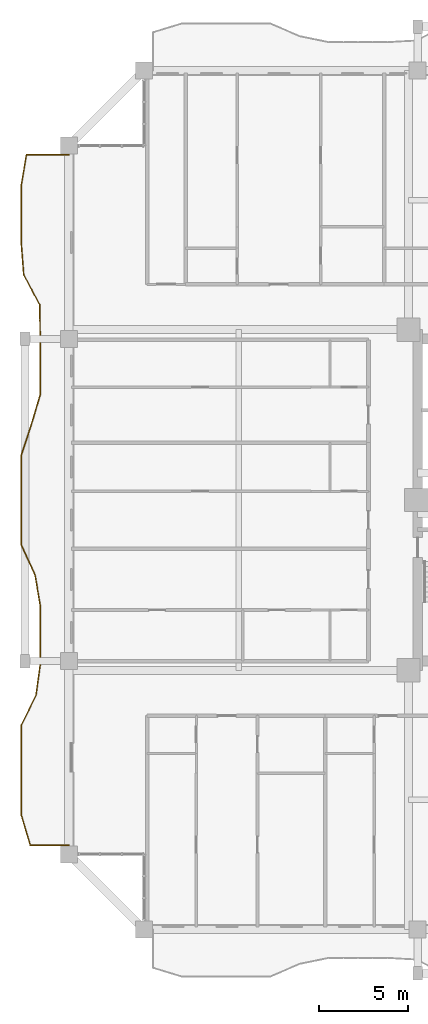
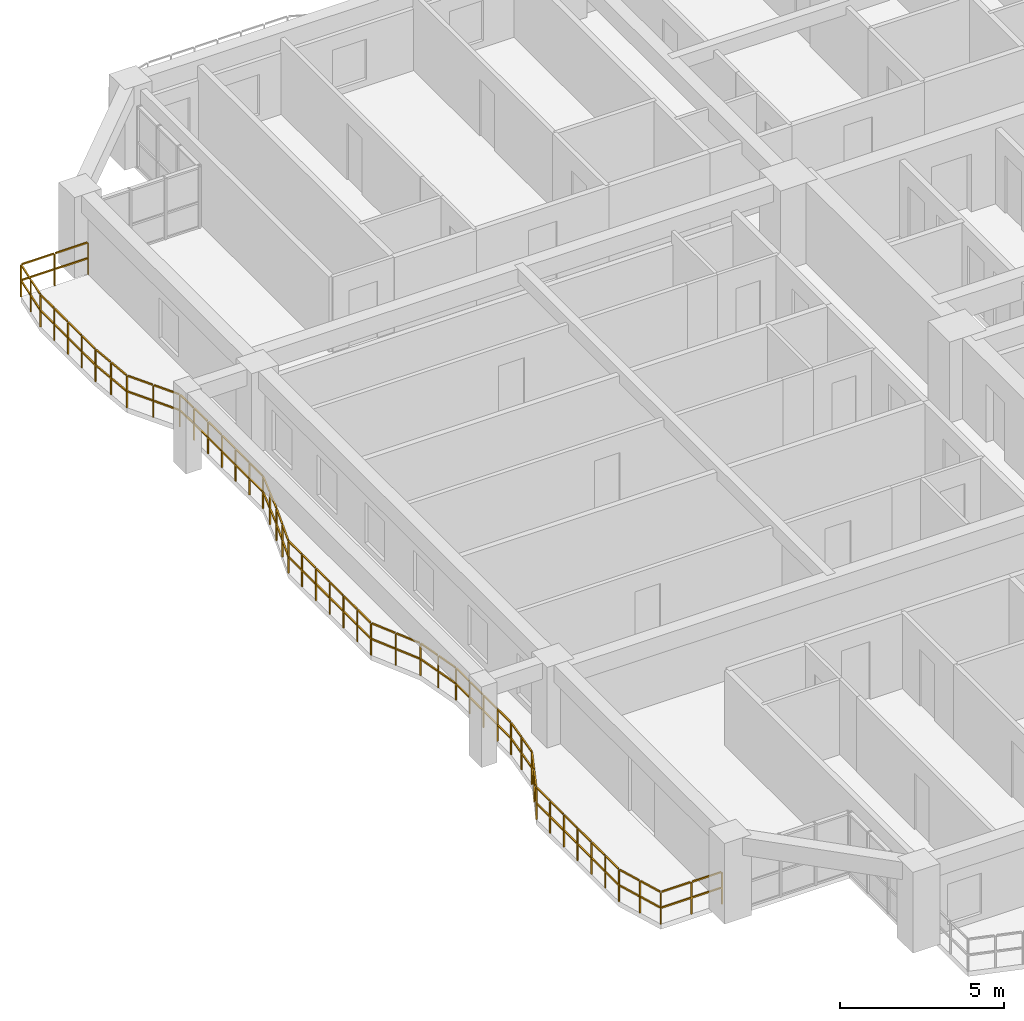
# One storey, part 23 of 26: 1 railing.
"""IFC4 building model written with IfcOpenShell, lengths in metres."""

from ifc_helpers import new_model, si_unit, direction, frame, origin, origin_2d, place, context, subcontext, project, spatial, rectangle, extrude, material, type_object, element, save


model = new_model("IFC4")

# Units and contexts
model_context = context("Model", 3, precision=1e-05, world=origin(), true_north=direction((0.0, 1.0)))
body_context = subcontext(model_context, "Body", "Model", "MODEL_VIEW")
ifc_project = project(units=[si_unit("LENGTHUNIT", "METRE"), si_unit("AREAUNIT", "SQUARE_METRE"), si_unit("VOLUMEUNIT", "CUBIC_METRE"), si_unit("PLANEANGLEUNIT", "RADIAN"), si_unit("MASSUNIT", "GRAM", prefix="KILO")], contexts=[model_context])

# Site, building, storey
site_placement = place(None, origin())
site = spatial("IfcSite", under=ifc_project, at=site_placement, CompositionType="ELEMENT")
building_placement = place(site_placement, origin())
building = spatial("IfcBuilding", under=site, at=building_placement, Name="Saelheon Loggia Tower", CompositionType="ELEMENT")
storey_placement = place(building_placement, frame((0.0, 0.0, 89.85009765625)))
storey = spatial("IfcBuildingStorey", under=building, at=storey_placement, Name="L28", CompositionType="ELEMENT", Elevation=89.85009765625)

# Railing
ifc_material = material(Name="Architectural Precast Concrete and Laminated Glass Guard", Category="concrete")
railing_type = type_object("IfcRailingType", Name="Guard_Loggia_RL_LOG", PredefinedType="BALUSTRADE", material=ifc_material)
railing_placement = place(storey_placement, frame((12.0, 46.300048828125, 0.0)))
element("IfcRailing", 1, at=railing_placement, inside=storey, type_object=railing_type, Name="L28 West Loggia Balustrade", PredefinedType="BALUSTRADE", context=body_context, shape_type="SweptSolid", body=[
    extrude(rectangle(XDim=0.048095703125, YDim=0.048095703125, at=origin_2d()), frame((-0.033203125, 0.0, 1.19580078125), z_axis=(-1.0, 0.0, 0.0), x_axis=(0.0, -1.0, 0.0)), (0.0, 0.0, 1.0), 1.116943359375),
    extrude(rectangle(XDim=0.048095703125, YDim=0.048095703125, at=origin_2d()), frame((-0.033203125, 0.0, 0.60986328125), z_axis=(-1.0, 0.0, 0.0), x_axis=(0.0, -1.0, 0.0)), (0.0, 0.0, 1.0), 1.116943359375),
    extrude(rectangle(XDim=0.048095703125, YDim=0.048095703125, at=origin_2d()), frame((-1.216552734375, 0.0, 1.19580078125), z_axis=(-1.0, 0.0, 0.0), x_axis=(0.0, -1.0, 0.0)), (0.0, 0.0, 1.0), 1.116943359375),
    extrude(rectangle(XDim=0.048095703125, YDim=0.048095703125, at=origin_2d()), frame((-1.216552734375, 0.0, 0.60986328125), z_axis=(-1.0, 0.0, 0.0), x_axis=(0.0, -1.0, 0.0)), (0.0, 0.0, 1.0), 1.116943359375),
    extrude(rectangle(XDim=0.048095703125, YDim=0.048095703125, at=origin_2d()), frame((-2.372314453125, -0.03271484375, 1.19580078125), z_axis=(-0.166375627522, -0.9860624476, 0.0), x_axis=(0.9860624476, -0.166375627522, 0.0)), (0.0, 0.0, 1.0), 0.78466796875),
    extrude(rectangle(XDim=0.048095703125, YDim=0.048095703125, at=origin_2d()), frame((-2.372314453125, -0.03271484375, 0.60986328125), z_axis=(-0.166375627522, -0.9860624476, 0.0), x_axis=(0.9860624476, -0.166375627522, 0.0)), (0.0, 0.0, 1.0), 0.78466796875),
    extrude(rectangle(XDim=0.048095703125, YDim=0.048095703125, at=origin_2d()), frame((-2.513916015625, -0.8720703125, 1.19580078125), z_axis=(-0.166375627522, -0.9860624476, 0.0), x_axis=(0.9860624476, -0.166375627522, 0.0)), (0.0, 0.0, 1.0), 0.78466796875),
    extrude(rectangle(XDim=0.048095703125, YDim=0.048095703125, at=origin_2d()), frame((-2.513916015625, -0.8720703125, 0.60986328125), z_axis=(-0.166375627522, -0.9860624476, 0.0), x_axis=(0.9860624476, -0.166375627522, 0.0)), (0.0, 0.0, 1.0), 0.78466796875),
    extrude(rectangle(XDim=0.048095703125, YDim=0.048095703125, at=origin_2d()), frame((-2.64990234375, -1.711669921875, 1.19580078125), z_axis=(0.0, -1.0, 0.0), x_axis=(1.0, 0.0, 0.0)), (0.0, 0.0, 1.0), 0.7724609375),
    extrude(rectangle(XDim=0.048095703125, YDim=0.048095703125, at=origin_2d()), frame((-2.64990234375, -1.711669921875, 0.60986328125), z_axis=(0.0, -1.0, 0.0), x_axis=(1.0, 0.0, 0.0)), (0.0, 0.0, 1.0), 0.7724609375),
    extrude(rectangle(XDim=0.048095703125, YDim=0.048095703125, at=origin_2d()), frame((-2.64990234375, -2.55078125, 1.19580078125), z_axis=(0.0, -1.0, 0.0), x_axis=(1.0, 0.0, 0.0)), (0.0, 0.0, 1.0), 0.7724609375),
    extrude(rectangle(XDim=0.048095703125, YDim=0.048095703125, at=origin_2d()), frame((-2.64990234375, -2.55078125, 0.60986328125), z_axis=(0.0, -1.0, 0.0), x_axis=(1.0, 0.0, 0.0)), (0.0, 0.0, 1.0), 0.7724609375),
    extrude(rectangle(XDim=0.048095703125, YDim=0.048095703125, at=origin_2d()), frame((-2.64990234375, -3.3896484375, 1.19580078125), z_axis=(0.0, -1.0, 0.0), x_axis=(1.0, 0.0, 0.0)), (0.0, 0.0, 1.0), 0.772705078125),
    extrude(rectangle(XDim=0.048095703125, YDim=0.048095703125, at=origin_2d()), frame((-2.64990234375, -3.3896484375, 0.60986328125), z_axis=(0.0, -1.0, 0.0), x_axis=(1.0, 0.0, 0.0)), (0.0, 0.0, 1.0), 0.772705078125),
    extrude(rectangle(XDim=0.048095703125, YDim=0.048095703125, at=origin_2d()), frame((-2.64990234375, -4.22900390625, 1.19580078125), z_axis=(0.0, -1.0, 0.0), x_axis=(1.0, 0.0, 0.0)), (0.0, 0.0, 1.0), 0.772705078125),
    extrude(rectangle(XDim=0.048095703125, YDim=0.048095703125, at=origin_2d()), frame((-2.64990234375, -4.22900390625, 0.60986328125), z_axis=(0.0, -1.0, 0.0), x_axis=(1.0, 0.0, 0.0)), (0.0, 0.0, 1.0), 0.772705078125),
    extrude(rectangle(XDim=0.048095703125, YDim=0.048095703125, at=origin_2d()), frame((-2.647216796875, -5.068115234375, 1.19580078125), z_axis=(0.07788316248, -0.996962493277, 0.0), x_axis=(0.996962493277, 0.07788316248, 0.0)), (0.0, 0.0, 1.0), 0.775146484375),
    extrude(rectangle(XDim=0.048095703125, YDim=0.048095703125, at=origin_2d()), frame((-2.647216796875, -5.068115234375, 0.60986328125), z_axis=(0.07788316248, -0.996962493277, 0.0), x_axis=(0.996962493277, 0.07788316248, 0.0)), (0.0, 0.0, 1.0), 0.775146484375),
    extrude(rectangle(XDim=0.048095703125, YDim=0.048095703125, at=origin_2d()), frame((-2.581787109375, -5.9072265625, 1.19580078125), z_axis=(0.07788316248, -0.996962493277, 0.0), x_axis=(0.996962493277, 0.07788316248, 0.0)), (0.0, 0.0, 1.0), 0.775146484375),
    extrude(rectangle(XDim=0.048095703125, YDim=0.048095703125, at=origin_2d()), frame((-2.581787109375, -5.9072265625, 0.60986328125), z_axis=(0.07788316248, -0.996962493277, 0.0), x_axis=(0.996962493277, 0.07788316248, 0.0)), (0.0, 0.0, 1.0), 0.775146484375),
    extrude(rectangle(XDim=0.048095703125, YDim=0.048095703125, at=origin_2d()), frame((-2.503173828125, -6.742431640625, 1.19580078125), z_axis=(0.469974960168, -0.882679747595, 0.0), x_axis=(0.882679747595, 0.469974960168, 0.0)), (0.0, 0.0, 1.0), 0.88427734375),
    extrude(rectangle(XDim=0.048095703125, YDim=0.048095703125, at=origin_2d()), frame((-2.503173828125, -6.742431640625, 0.60986328125), z_axis=(0.469974960168, -0.882679747595, 0.0), x_axis=(0.882679747595, 0.469974960168, 0.0)), (0.0, 0.0, 1.0), 0.88427734375),
    extrude(rectangle(XDim=0.048095703125, YDim=0.048095703125, at=origin_2d()), frame((-2.056396484375, -7.58154296875, 1.19580078125), z_axis=(0.469974960168, -0.882679747595, 0.0), x_axis=(0.882679747595, 0.469974960168, 0.0)), (0.0, 0.0, 1.0), 0.88427734375),
    extrude(rectangle(XDim=0.048095703125, YDim=0.048095703125, at=origin_2d()), frame((-2.056396484375, -7.58154296875, 0.60986328125), z_axis=(0.469974960168, -0.882679747595, 0.0), x_axis=(0.882679747595, 0.469974960168, 0.0)), (0.0, 0.0, 1.0), 0.88427734375),
    extrude(rectangle(XDim=0.048095703125, YDim=0.048095703125, at=origin_2d()), frame((-1.624755859375, -8.424560546875, 1.19580078125), z_axis=(0.014982315851, -0.999887758807, 0.0), x_axis=(0.999887758807, 0.014982315851, 0.0)), (0.0, 0.0, 1.0), 0.772705078125),
    extrude(rectangle(XDim=0.048095703125, YDim=0.048095703125, at=origin_2d()), frame((-1.624755859375, -8.424560546875, 0.60986328125), z_axis=(0.014982315851, -0.999887758807, 0.0), x_axis=(0.999887758807, 0.014982315851, 0.0)), (0.0, 0.0, 1.0), 0.772705078125),
    extrude(rectangle(XDim=0.048095703125, YDim=0.048095703125, at=origin_2d()), frame((-1.612060546875, -9.263671875, 1.19580078125), z_axis=(0.014982315851, -0.999887758807, 0.0), x_axis=(0.999887758807, 0.014982315851, 0.0)), (0.0, 0.0, 1.0), 0.772705078125),
    extrude(rectangle(XDim=0.048095703125, YDim=0.048095703125, at=origin_2d()), frame((-1.612060546875, -9.263671875, 0.60986328125), z_axis=(0.014982315851, -0.999887758807, 0.0), x_axis=(0.999887758807, 0.014982315851, 0.0)), (0.0, 0.0, 1.0), 0.772705078125),
    extrude(rectangle(XDim=0.048095703125, YDim=0.048095703125, at=origin_2d()), frame((-1.60009765625, -10.102783203125, 1.19580078125), z_axis=(0.0, -1.0, 0.0), x_axis=(1.0, 0.0, 0.0)), (0.0, 0.0, 1.0), 0.772705078125),
    extrude(rectangle(XDim=0.048095703125, YDim=0.048095703125, at=origin_2d()), frame((-1.60009765625, -10.102783203125, 0.60986328125), z_axis=(0.0, -1.0, 0.0), x_axis=(1.0, 0.0, 0.0)), (0.0, 0.0, 1.0), 0.772705078125),
    extrude(rectangle(XDim=0.048095703125, YDim=0.048095703125, at=origin_2d()), frame((-1.60009765625, -10.94189453125, 1.19580078125), z_axis=(0.0, -1.0, 0.0), x_axis=(1.0, 0.0, 0.0)), (0.0, 0.0, 1.0), 0.772705078125),
    extrude(rectangle(XDim=0.048095703125, YDim=0.048095703125, at=origin_2d()), frame((-1.60009765625, -10.94189453125, 0.60986328125), z_axis=(0.0, -1.0, 0.0), x_axis=(1.0, 0.0, 0.0)), (0.0, 0.0, 1.0), 0.772705078125),
    extrude(rectangle(XDim=0.048095703125, YDim=0.048095703125, at=origin_2d()), frame((-1.60009765625, -11.781005859375, 1.19580078125), z_axis=(0.0, -1.0, 0.0), x_axis=(1.0, 0.0, 0.0)), (0.0, 0.0, 1.0), 0.772705078125),
    extrude(rectangle(XDim=0.048095703125, YDim=0.048095703125, at=origin_2d()), frame((-1.60009765625, -11.781005859375, 0.60986328125), z_axis=(0.0, -1.0, 0.0), x_axis=(1.0, 0.0, 0.0)), (0.0, 0.0, 1.0), 0.772705078125),
    extrude(rectangle(XDim=0.048095703125, YDim=0.048095703125, at=origin_2d()), frame((-1.60009765625, -12.620361328125, 1.19580078125), z_axis=(0.0, -1.0, 0.0), x_axis=(1.0, 0.0, 0.0)), (0.0, 0.0, 1.0), 0.772705078125),
    extrude(rectangle(XDim=0.048095703125, YDim=0.048095703125, at=origin_2d()), frame((-1.60009765625, -12.620361328125, 0.60986328125), z_axis=(0.0, -1.0, 0.0), x_axis=(1.0, 0.0, 0.0)), (0.0, 0.0, 1.0), 0.772705078125),
    extrude(rectangle(XDim=0.048095703125, YDim=0.048095703125, at=origin_2d()), frame((-1.609619140625, -13.458251953125, 1.19580078125), z_axis=(-0.284416013132, -0.958700960401, 0.0), x_axis=(0.958700960401, -0.284416013132, 0.0)), (0.0, 0.0, 1.0), 0.80859375),
    extrude(rectangle(XDim=0.048095703125, YDim=0.048095703125, at=origin_2d()), frame((-1.609619140625, -13.458251953125, 0.60986328125), z_axis=(-0.284416013132, -0.958700960401, 0.0), x_axis=(0.958700960401, -0.284416013132, 0.0)), (0.0, 0.0, 1.0), 0.80859375),
    extrude(rectangle(XDim=0.048095703125, YDim=0.048095703125, at=origin_2d()), frame((-1.8583984375, -14.297119140625, 1.19580078125), z_axis=(-0.284416013132, -0.958700960401, 0.0), x_axis=(0.958700960401, -0.284416013132, 0.0)), (0.0, 0.0, 1.0), 0.80859375),
    extrude(rectangle(XDim=0.048095703125, YDim=0.048095703125, at=origin_2d()), frame((-1.8583984375, -14.297119140625, 0.60986328125), z_axis=(-0.284416013132, -0.958700960401, 0.0), x_axis=(0.958700960401, -0.284416013132, 0.0)), (0.0, 0.0, 1.0), 0.80859375),
    extrude(rectangle(XDim=0.048095703125, YDim=0.048095703125, at=origin_2d()), frame((-2.1083984375, -15.1357421875, 1.19580078125), z_axis=(-0.312411606213, -0.949946834461, 0.0), x_axis=(0.949946834461, -0.312411606213, 0.0)), (0.0, 0.0, 1.0), 0.81689453125),
    extrude(rectangle(XDim=0.048095703125, YDim=0.048095703125, at=origin_2d()), frame((-2.1083984375, -15.1357421875, 0.60986328125), z_axis=(-0.312411606213, -0.949946834461, 0.0), x_axis=(0.949946834461, -0.312411606213, 0.0)), (0.0, 0.0, 1.0), 0.81689453125),
    extrude(rectangle(XDim=0.048095703125, YDim=0.048095703125, at=origin_2d()), frame((-2.38427734375, -15.97509765625, 1.19580078125), z_axis=(-0.312411606213, -0.949946834461, 0.0), x_axis=(0.949946834461, -0.312411606213, 0.0)), (0.0, 0.0, 1.0), 0.81689453125),
    extrude(rectangle(XDim=0.048095703125, YDim=0.048095703125, at=origin_2d()), frame((-2.38427734375, -15.97509765625, 0.60986328125), z_axis=(-0.312411606213, -0.949946834461, 0.0), x_axis=(0.949946834461, -0.312411606213, 0.0)), (0.0, 0.0, 1.0), 0.81689453125),
    extrude(rectangle(XDim=0.048095703125, YDim=0.048095703125, at=origin_2d()), frame((-2.64990234375, -16.81591796875, 1.19580078125), z_axis=(0.0, -1.0, 0.0), x_axis=(1.0, 0.0, 0.0)), (0.0, 0.0, 1.0), 0.772705078125),
    extrude(rectangle(XDim=0.048095703125, YDim=0.048095703125, at=origin_2d()), frame((-2.64990234375, -16.81591796875, 0.60986328125), z_axis=(0.0, -1.0, 0.0), x_axis=(1.0, 0.0, 0.0)), (0.0, 0.0, 1.0), 0.772705078125),
    extrude(rectangle(XDim=0.048095703125, YDim=0.048095703125, at=origin_2d()), frame((-2.64990234375, -17.655029296875, 1.19580078125), z_axis=(0.0, -1.0, 0.0), x_axis=(1.0, 0.0, 0.0)), (0.0, 0.0, 1.0), 0.772705078125),
    extrude(rectangle(XDim=0.048095703125, YDim=0.048095703125, at=origin_2d()), frame((-2.64990234375, -17.655029296875, 0.60986328125), z_axis=(0.0, -1.0, 0.0), x_axis=(1.0, 0.0, 0.0)), (0.0, 0.0, 1.0), 0.772705078125),
    extrude(rectangle(XDim=0.048095703125, YDim=0.048095703125, at=origin_2d()), frame((-2.64990234375, -18.494140625, 1.19580078125), z_axis=(0.0, -1.0, 0.0), x_axis=(1.0, 0.0, 0.0)), (0.0, 0.0, 1.0), 0.772705078125),
    extrude(rectangle(XDim=0.048095703125, YDim=0.048095703125, at=origin_2d()), frame((-2.64990234375, -18.494140625, 0.60986328125), z_axis=(0.0, -1.0, 0.0), x_axis=(1.0, 0.0, 0.0)), (0.0, 0.0, 1.0), 0.772705078125),
    extrude(rectangle(XDim=0.048095703125, YDim=0.048095703125, at=origin_2d()), frame((-2.64990234375, -19.333251953125, 1.19580078125), z_axis=(0.0, -1.0, 0.0), x_axis=(1.0, 0.0, 0.0)), (0.0, 0.0, 1.0), 0.772705078125),
    extrude(rectangle(XDim=0.048095703125, YDim=0.048095703125, at=origin_2d()), frame((-2.64990234375, -19.333251953125, 0.60986328125), z_axis=(0.0, -1.0, 0.0), x_axis=(1.0, 0.0, 0.0)), (0.0, 0.0, 1.0), 0.772705078125),
    extrude(rectangle(XDim=0.048095703125, YDim=0.048095703125, at=origin_2d()), frame((-2.64990234375, -20.17236328125, 1.19580078125), z_axis=(0.0, -1.0, 0.0), x_axis=(1.0, 0.0, 0.0)), (0.0, 0.0, 1.0), 0.772705078125),
    extrude(rectangle(XDim=0.048095703125, YDim=0.048095703125, at=origin_2d()), frame((-2.64990234375, -20.17236328125, 0.60986328125), z_axis=(0.0, -1.0, 0.0), x_axis=(1.0, 0.0, 0.0)), (0.0, 0.0, 1.0), 0.772705078125),
    extrude(rectangle(XDim=0.048095703125, YDim=0.048095703125, at=origin_2d()), frame((-2.64990234375, -21.011474609375, 1.19580078125), z_axis=(0.0, -1.0, 0.0), x_axis=(1.0, 0.0, 0.0)), (0.0, 0.0, 1.0), 0.772705078125),
    extrude(rectangle(XDim=0.048095703125, YDim=0.048095703125, at=origin_2d()), frame((-2.64990234375, -21.011474609375, 0.60986328125), z_axis=(0.0, -1.0, 0.0), x_axis=(1.0, 0.0, 0.0)), (0.0, 0.0, 1.0), 0.772705078125),
    extrude(rectangle(XDim=0.048095703125, YDim=0.048095703125, at=origin_2d()), frame((-2.635986328125, -21.84765625, 1.19580078125), z_axis=(0.41588480052, -0.909417303935, 0.0), x_axis=(0.909417303935, 0.41588480052, 0.0)), (0.0, 0.0, 1.0), 0.8564453125),
    extrude(rectangle(XDim=0.048095703125, YDim=0.048095703125, at=origin_2d()), frame((-2.635986328125, -21.84765625, 0.60986328125), z_axis=(0.41588480052, -0.909417303935, 0.0), x_axis=(0.909417303935, 0.41588480052, 0.0)), (0.0, 0.0, 1.0), 0.8564453125),
    extrude(rectangle(XDim=0.048095703125, YDim=0.048095703125, at=origin_2d()), frame((-2.252197265625, -22.686767578125, 1.19580078125), z_axis=(0.41588480052, -0.909417303935, 0.0), x_axis=(0.909417303935, 0.41588480052, 0.0)), (0.0, 0.0, 1.0), 0.8564453125),
    extrude(rectangle(XDim=0.048095703125, YDim=0.048095703125, at=origin_2d()), frame((-2.252197265625, -22.686767578125, 0.60986328125), z_axis=(0.41588480052, -0.909417303935, 0.0), x_axis=(0.909417303935, 0.41588480052, 0.0)), (0.0, 0.0, 1.0), 0.8564453125),
    extrude(rectangle(XDim=0.048095703125, YDim=0.048095703125, at=origin_2d()), frame((-1.876708984375, -23.528564453125, 1.19580078125), z_axis=(0.165864644071, -0.986148528289, 0.0), x_axis=(0.986148528289, 0.165864644071, 0.0)), (0.0, 0.0, 1.0), 0.784423828125),
    extrude(rectangle(XDim=0.048095703125, YDim=0.048095703125, at=origin_2d()), frame((-1.876708984375, -23.528564453125, 0.60986328125), z_axis=(0.165864644071, -0.986148528289, 0.0), x_axis=(0.986148528289, 0.165864644071, 0.0)), (0.0, 0.0, 1.0), 0.784423828125),
    extrude(rectangle(XDim=0.048095703125, YDim=0.048095703125, at=origin_2d()), frame((-1.735595703125, -24.36767578125, 1.19580078125), z_axis=(0.165864644071, -0.986148528289, 0.0), x_axis=(0.986148528289, 0.165864644071, 0.0)), (0.0, 0.0, 1.0), 0.784423828125),
    extrude(rectangle(XDim=0.048095703125, YDim=0.048095703125, at=origin_2d()), frame((-1.735595703125, -24.36767578125, 0.60986328125), z_axis=(0.165864644071, -0.986148528289, 0.0), x_axis=(0.986148528289, 0.165864644071, 0.0)), (0.0, 0.0, 1.0), 0.784423828125),
    extrude(rectangle(XDim=0.048095703125, YDim=0.048095703125, at=origin_2d()), frame((-1.60009765625, -25.20703125, 1.19580078125), z_axis=(0.0, -1.0, 0.0), x_axis=(1.0, 0.0, 0.0)), (0.0, 0.0, 1.0), 0.772705078125),
    extrude(rectangle(XDim=0.048095703125, YDim=0.048095703125, at=origin_2d()), frame((-1.60009765625, -25.20703125, 0.60986328125), z_axis=(0.0, -1.0, 0.0), x_axis=(1.0, 0.0, 0.0)), (0.0, 0.0, 1.0), 0.772705078125),
    extrude(rectangle(XDim=0.048095703125, YDim=0.048095703125, at=origin_2d()), frame((-1.60009765625, -26.04638671875, 1.19580078125), z_axis=(0.0, -1.0, 0.0), x_axis=(1.0, 0.0, 0.0)), (0.0, 0.0, 1.0), 0.772705078125),
    extrude(rectangle(XDim=0.048095703125, YDim=0.048095703125, at=origin_2d()), frame((-1.60009765625, -26.04638671875, 0.60986328125), z_axis=(0.0, -1.0, 0.0), x_axis=(1.0, 0.0, 0.0)), (0.0, 0.0, 1.0), 0.772705078125),
    extrude(rectangle(XDim=0.048095703125, YDim=0.048095703125, at=origin_2d()), frame((-1.60009765625, -26.885498046875, 1.19580078125), z_axis=(0.0, -1.0, 0.0), x_axis=(1.0, 0.0, 0.0)), (0.0, 0.0, 1.0), 0.772705078125),
    extrude(rectangle(XDim=0.048095703125, YDim=0.048095703125, at=origin_2d()), frame((-1.60009765625, -26.885498046875, 0.60986328125), z_axis=(0.0, -1.0, 0.0), x_axis=(1.0, 0.0, 0.0)), (0.0, 0.0, 1.0), 0.772705078125),
    extrude(rectangle(XDim=0.048095703125, YDim=0.048095703125, at=origin_2d()), frame((-1.60009765625, -27.724609375, 1.19580078125), z_axis=(0.0, -1.0, 0.0), x_axis=(1.0, 0.0, 0.0)), (0.0, 0.0, 1.0), 0.772705078125),
    extrude(rectangle(XDim=0.048095703125, YDim=0.048095703125, at=origin_2d()), frame((-1.60009765625, -27.724609375, 0.60986328125), z_axis=(0.0, -1.0, 0.0), x_axis=(1.0, 0.0, 0.0)), (0.0, 0.0, 1.0), 0.772705078125),
    extrude(rectangle(XDim=0.048095703125, YDim=0.048095703125, at=origin_2d()), frame((-1.604736328125, -28.5634765625, 1.19580078125), z_axis=(-0.136617890743, -0.990623819585, 0.0), x_axis=(0.990623819585, -0.136617890743, 0.0)), (0.0, 0.0, 1.0), 0.780517578125),
    extrude(rectangle(XDim=0.048095703125, YDim=0.048095703125, at=origin_2d()), frame((-1.604736328125, -28.5634765625, 0.60986328125), z_axis=(-0.136617890743, -0.990623819585, 0.0), x_axis=(0.990623819585, -0.136617890743, 0.0)), (0.0, 0.0, 1.0), 0.780517578125),
    extrude(rectangle(XDim=0.048095703125, YDim=0.048095703125, at=origin_2d()), frame((-1.720458984375, -29.402587890625, 1.19580078125), z_axis=(-0.136617890743, -0.990623819585, 0.0), x_axis=(0.990623819585, -0.136617890743, 0.0)), (0.0, 0.0, 1.0), 0.780517578125),
    extrude(rectangle(XDim=0.048095703125, YDim=0.048095703125, at=origin_2d()), frame((-1.720458984375, -29.402587890625, 0.60986328125), z_axis=(-0.136617890743, -0.990623819585, 0.0), x_axis=(0.990623819585, -0.136617890743, 0.0)), (0.0, 0.0, 1.0), 0.780517578125),
    extrude(rectangle(XDim=0.048095703125, YDim=0.048095703125, at=origin_2d()), frame((-1.84619140625, -30.238525390625, 1.19580078125), z_axis=(-0.438299970377, -0.898828757867, 0.0), x_axis=(0.898828757867, -0.438299970377, 0.0)), (0.0, 0.0, 1.0), 0.8671875),
    extrude(rectangle(XDim=0.048095703125, YDim=0.048095703125, at=origin_2d()), frame((-1.84619140625, -30.238525390625, 0.60986328125), z_axis=(-0.438299970377, -0.898828757867, 0.0), x_axis=(0.898828757867, -0.438299970377, 0.0)), (0.0, 0.0, 1.0), 0.8671875),
    extrude(rectangle(XDim=0.048095703125, YDim=0.048095703125, at=origin_2d()), frame((-2.25537109375, -31.07763671875, 1.19580078125), z_axis=(-0.438299970377, -0.898828757867, 0.0), x_axis=(0.898828757867, -0.438299970377, 0.0)), (0.0, 0.0, 1.0), 0.8671875),
    extrude(rectangle(XDim=0.048095703125, YDim=0.048095703125, at=origin_2d()), frame((-2.25537109375, -31.07763671875, 0.60986328125), z_axis=(-0.438299970377, -0.898828757867, 0.0), x_axis=(0.898828757867, -0.438299970377, 0.0)), (0.0, 0.0, 1.0), 0.8671875),
    extrude(rectangle(XDim=0.048095703125, YDim=0.048095703125, at=origin_2d()), frame((-2.64990234375, -31.920166015625, 1.19580078125), z_axis=(0.0, -1.0, 0.0), x_axis=(1.0, 0.0, 0.0)), (0.0, 0.0, 1.0), 0.772705078125),
    extrude(rectangle(XDim=0.048095703125, YDim=0.048095703125, at=origin_2d()), frame((-2.64990234375, -31.920166015625, 0.60986328125), z_axis=(0.0, -1.0, 0.0), x_axis=(1.0, 0.0, 0.0)), (0.0, 0.0, 1.0), 0.772705078125),
    extrude(rectangle(XDim=0.048095703125, YDim=0.048095703125, at=origin_2d()), frame((-2.64990234375, -32.75927734375, 1.19580078125), z_axis=(0.0, -1.0, 0.0), x_axis=(1.0, 0.0, 0.0)), (0.0, 0.0, 1.0), 0.772705078125),
    extrude(rectangle(XDim=0.048095703125, YDim=0.048095703125, at=origin_2d()), frame((-2.64990234375, -32.75927734375, 0.60986328125), z_axis=(0.0, -1.0, 0.0), x_axis=(1.0, 0.0, 0.0)), (0.0, 0.0, 1.0), 0.772705078125),
    extrude(rectangle(XDim=0.048095703125, YDim=0.048095703125, at=origin_2d()), frame((-2.64990234375, -33.598388671875, 1.19580078125), z_axis=(0.0, -1.0, 0.0), x_axis=(1.0, 0.0, 0.0)), (0.0, 0.0, 1.0), 0.772705078125),
    extrude(rectangle(XDim=0.048095703125, YDim=0.048095703125, at=origin_2d()), frame((-2.64990234375, -33.598388671875, 0.60986328125), z_axis=(0.0, -1.0, 0.0), x_axis=(1.0, 0.0, 0.0)), (0.0, 0.0, 1.0), 0.772705078125),
    extrude(rectangle(XDim=0.048095703125, YDim=0.048095703125, at=origin_2d()), frame((-2.64990234375, -34.437744140625, 1.19580078125), z_axis=(0.0, -1.0, 0.0), x_axis=(1.0, 0.0, 0.0)), (0.0, 0.0, 1.0), 0.772705078125),
    extrude(rectangle(XDim=0.048095703125, YDim=0.048095703125, at=origin_2d()), frame((-2.64990234375, -34.437744140625, 0.60986328125), z_axis=(0.0, -1.0, 0.0), x_axis=(1.0, 0.0, 0.0)), (0.0, 0.0, 1.0), 0.772705078125),
    extrude(rectangle(XDim=0.048095703125, YDim=0.048095703125, at=origin_2d()), frame((-2.64990234375, -35.27685546875, 1.19580078125), z_axis=(0.0, -1.0, 0.0), x_axis=(1.0, 0.0, 0.0)), (0.0, 0.0, 1.0), 0.7724609375),
    extrude(rectangle(XDim=0.048095703125, YDim=0.048095703125, at=origin_2d()), frame((-2.64990234375, -35.27685546875, 0.60986328125), z_axis=(0.0, -1.0, 0.0), x_axis=(1.0, 0.0, 0.0)), (0.0, 0.0, 1.0), 0.7724609375),
    extrude(rectangle(XDim=0.048095703125, YDim=0.048095703125, at=origin_2d()), frame((-2.64990234375, -36.115966796875, 1.19580078125), z_axis=(0.0, -1.0, 0.0), x_axis=(1.0, 0.0, 0.0)), (0.0, 0.0, 1.0), 0.7724609375),
    extrude(rectangle(XDim=0.048095703125, YDim=0.048095703125, at=origin_2d()), frame((-2.64990234375, -36.115966796875, 0.60986328125), z_axis=(0.0, -1.0, 0.0), x_axis=(1.0, 0.0, 0.0)), (0.0, 0.0, 1.0), 0.7724609375),
    extrude(rectangle(XDim=0.048095703125, YDim=0.048095703125, at=origin_2d()), frame((-2.640380859375, -36.953369140625, 1.19580078125), z_axis=(0.285492932105, -0.958380814561, 0.0), x_axis=(0.958380814561, 0.285492932105, 0.0)), (0.0, 0.0, 1.0), 0.809326171875),
    extrude(rectangle(XDim=0.048095703125, YDim=0.048095703125, at=origin_2d()), frame((-2.640380859375, -36.953369140625, 0.60986328125), z_axis=(0.285492932105, -0.958380814561, 0.0), x_axis=(0.958380814561, 0.285492932105, 0.0)), (0.0, 0.0, 1.0), 0.809326171875),
    extrude(rectangle(XDim=0.048095703125, YDim=0.048095703125, at=origin_2d()), frame((-2.390380859375, -37.792724609375, 1.19580078125), z_axis=(0.285492932105, -0.958380814561, 0.0), x_axis=(0.958380814561, 0.285492932105, 0.0)), (0.0, 0.0, 1.0), 0.809326171875),
    extrude(rectangle(XDim=0.048095703125, YDim=0.048095703125, at=origin_2d()), frame((-2.390380859375, -37.792724609375, 0.60986328125), z_axis=(0.285492932105, -0.958380814561, 0.0), x_axis=(0.958380814561, 0.285492932105, 0.0)), (0.0, 0.0, 1.0), 0.809326171875),
    extrude(rectangle(XDim=0.048095703125, YDim=0.048095703125, at=origin_2d()), frame((-2.11669921875, -38.60009765625, 1.19580078125), z_axis=(1.0, 0.0, 0.0), x_axis=(0.0, 1.0, 0.0)), (0.0, 0.0, 1.0), 1.008544921875),
    extrude(rectangle(XDim=0.048095703125, YDim=0.048095703125, at=origin_2d()), frame((-2.11669921875, -38.60009765625, 0.60986328125), z_axis=(1.0, 0.0, 0.0), x_axis=(0.0, 1.0, 0.0)), (0.0, 0.0, 1.0), 1.008544921875),
    extrude(rectangle(XDim=0.048095703125, YDim=0.048095703125, at=origin_2d()), frame((-1.041748046875, -38.60009765625, 1.19580078125), z_axis=(1.0, 0.0, 0.0), x_axis=(0.0, 1.0, 0.0)), (0.0, 0.0, 1.0), 1.008544921875),
    extrude(rectangle(XDim=0.048095703125, YDim=0.048095703125, at=origin_2d()), frame((-1.041748046875, -38.60009765625, 0.60986328125), z_axis=(1.0, 0.0, 0.0), x_axis=(0.0, 1.0, 0.0)), (0.0, 0.0, 1.0), 1.008544921875),
    extrude(rectangle(XDim=0.0419921875, YDim=0.0419921875, at=origin_2d()), origin(), (0.0, 0.0, 1.0), 1.16796875),
    extrude(rectangle(XDim=0.0419921875, YDim=0.0419921875, at=origin_2d()), frame((-1.183349609375, 0.0, 0.0)), (0.0, 0.0, 1.0), 1.16796875),
    extrude(rectangle(XDim=0.0419921875, YDim=0.0419921875, at=origin_2d()), frame((-2.36669921875, 0.0, 0.0)), (0.0, 0.0, 1.0), 1.16796875),
    extrude(rectangle(XDim=0.0419921875, YDim=0.0419921875, at=origin_2d()), frame((-2.50830078125, -0.83935546875, 0.0)), (0.0, 0.0, 1.0), 1.16796875),
    extrude(rectangle(XDim=0.0419921875, YDim=0.0419921875, at=origin_2d()), frame((-2.64990234375, -1.678466796875, 0.0)), (0.0, 0.0, 1.0), 1.16796875),
    extrude(rectangle(XDim=0.0419921875, YDim=0.0419921875, at=origin_2d()), frame((-2.64990234375, -2.517578125, 0.0)), (0.0, 0.0, 1.0), 1.16796875),
    extrude(rectangle(XDim=0.0419921875, YDim=0.0419921875, at=origin_2d()), frame((-2.64990234375, -3.3564453125, 0.0)), (0.0, 0.0, 1.0), 1.16796875),
    extrude(rectangle(XDim=0.0419921875, YDim=0.0419921875, at=origin_2d()), frame((-2.64990234375, -4.19580078125, 0.0)), (0.0, 0.0, 1.0), 1.16796875),
    extrude(rectangle(XDim=0.0419921875, YDim=0.0419921875, at=origin_2d()), frame((-2.64990234375, -5.034912109375, 0.0)), (0.0, 0.0, 1.0), 1.16796875),
    extrude(rectangle(XDim=0.0419921875, YDim=0.0419921875, at=origin_2d()), frame((-2.58447265625, -5.8740234375, 0.0)), (0.0, 0.0, 1.0), 1.16796875),
    extrude(rectangle(XDim=0.0419921875, YDim=0.0419921875, at=origin_2d()), frame((-2.518798828125, -6.713134765625, 0.0)), (0.0, 0.0, 1.0), 1.16796875),
    extrude(rectangle(XDim=0.0419921875, YDim=0.0419921875, at=origin_2d()), frame((-2.072021484375, -7.55224609375, 0.0)), (0.0, 0.0, 1.0), 1.16796875),
    extrude(rectangle(XDim=0.0419921875, YDim=0.0419921875, at=origin_2d()), frame((-1.625244140625, -8.391357421875, 0.0)), (0.0, 0.0, 1.0), 1.16796875),
    extrude(rectangle(XDim=0.0419921875, YDim=0.0419921875, at=origin_2d()), frame((-1.61279296875, -9.23046875, 0.0)), (0.0, 0.0, 1.0), 1.16796875),
    extrude(rectangle(XDim=0.0419921875, YDim=0.0419921875, at=origin_2d()), frame((-1.60009765625, -10.069580078125, 0.0)), (0.0, 0.0, 1.0), 1.16796875),
    extrude(rectangle(XDim=0.0419921875, YDim=0.0419921875, at=origin_2d()), frame((-1.60009765625, -10.90869140625, 0.0)), (0.0, 0.0, 1.0), 1.16796875),
    extrude(rectangle(XDim=0.0419921875, YDim=0.0419921875, at=origin_2d()), frame((-1.60009765625, -11.747802734375, 0.0)), (0.0, 0.0, 1.0), 1.16796875),
    extrude(rectangle(XDim=0.0419921875, YDim=0.0419921875, at=origin_2d()), frame((-1.60009765625, -12.5869140625, 0.0)), (0.0, 0.0, 1.0), 1.16796875),
    extrude(rectangle(XDim=0.0419921875, YDim=0.0419921875, at=origin_2d()), frame((-1.60009765625, -13.42626953125, 0.0)), (0.0, 0.0, 1.0), 1.16796875),
    extrude(rectangle(XDim=0.0419921875, YDim=0.0419921875, at=origin_2d()), frame((-1.84912109375, -14.26513671875, 0.0)), (0.0, 0.0, 1.0), 1.16796875),
    extrude(rectangle(XDim=0.0419921875, YDim=0.0419921875, at=origin_2d()), frame((-2.097900390625, -15.104248046875, 0.0)), (0.0, 0.0, 1.0), 1.16796875),
    extrude(rectangle(XDim=0.0419921875, YDim=0.0419921875, at=origin_2d()), frame((-2.3740234375, -15.943359375, 0.0)), (0.0, 0.0, 1.0), 1.16796875),
    extrude(rectangle(XDim=0.0419921875, YDim=0.0419921875, at=origin_2d()), frame((-2.64990234375, -16.78271484375, 0.0)), (0.0, 0.0, 1.0), 1.16796875),
    extrude(rectangle(XDim=0.0419921875, YDim=0.0419921875, at=origin_2d()), frame((-2.64990234375, -17.621826171875, 0.0)), (0.0, 0.0, 1.0), 1.16796875),
    extrude(rectangle(XDim=0.0419921875, YDim=0.0419921875, at=origin_2d()), frame((-2.64990234375, -18.4609375, 0.0)), (0.0, 0.0, 1.0), 1.16796875),
    extrude(rectangle(XDim=0.0419921875, YDim=0.0419921875, at=origin_2d()), frame((-2.64990234375, -19.300048828125, 0.0)), (0.0, 0.0, 1.0), 1.16796875),
    extrude(rectangle(XDim=0.0419921875, YDim=0.0419921875, at=origin_2d()), frame((-2.64990234375, -20.13916015625, 0.0)), (0.0, 0.0, 1.0), 1.16796875),
    extrude(rectangle(XDim=0.0419921875, YDim=0.0419921875, at=origin_2d()), frame((-2.64990234375, -20.978271484375, 0.0)), (0.0, 0.0, 1.0), 1.16796875),
    extrude(rectangle(XDim=0.0419921875, YDim=0.0419921875, at=origin_2d()), frame((-2.64990234375, -21.8173828125, 0.0)), (0.0, 0.0, 1.0), 1.16796875),
    extrude(rectangle(XDim=0.0419921875, YDim=0.0419921875, at=origin_2d()), frame((-2.26611328125, -22.65673828125, 0.0)), (0.0, 0.0, 1.0), 1.16796875),
    extrude(rectangle(XDim=0.0419921875, YDim=0.0419921875, at=origin_2d()), frame((-1.88232421875, -23.495849609375, 0.0)), (0.0, 0.0, 1.0), 1.16796875),
    extrude(rectangle(XDim=0.0419921875, YDim=0.0419921875, at=origin_2d()), frame((-1.7412109375, -24.3349609375, 0.0)), (0.0, 0.0, 1.0), 1.16796875),
    extrude(rectangle(XDim=0.0419921875, YDim=0.0419921875, at=origin_2d()), frame((-1.60009765625, -25.173828125, 0.0)), (0.0, 0.0, 1.0), 1.16796875),
    extrude(rectangle(XDim=0.0419921875, YDim=0.0419921875, at=origin_2d()), frame((-1.60009765625, -26.01318359375, 0.0)), (0.0, 0.0, 1.0), 1.16796875),
    extrude(rectangle(XDim=0.0419921875, YDim=0.0419921875, at=origin_2d()), frame((-1.60009765625, -26.852294921875, 0.0)), (0.0, 0.0, 1.0), 1.16796875),
    extrude(rectangle(XDim=0.0419921875, YDim=0.0419921875, at=origin_2d()), frame((-1.60009765625, -27.69140625, 0.0)), (0.0, 0.0, 1.0), 1.16796875),
    extrude(rectangle(XDim=0.0419921875, YDim=0.0419921875, at=origin_2d()), frame((-1.60009765625, -28.530517578125, 0.0)), (0.0, 0.0, 1.0), 1.16796875),
    extrude(rectangle(XDim=0.0419921875, YDim=0.0419921875, at=origin_2d()), frame((-1.7158203125, -29.36962890625, 0.0)), (0.0, 0.0, 1.0), 1.16796875),
    extrude(rectangle(XDim=0.0419921875, YDim=0.0419921875, at=origin_2d()), frame((-1.83154296875, -30.208740234375, 0.0)), (0.0, 0.0, 1.0), 1.16796875),
    extrude(rectangle(XDim=0.0419921875, YDim=0.0419921875, at=origin_2d()), frame((-2.24072265625, -31.0478515625, 0.0)), (0.0, 0.0, 1.0), 1.16796875),
    extrude(rectangle(XDim=0.0419921875, YDim=0.0419921875, at=origin_2d()), frame((-2.64990234375, -31.886962890625, 0.0)), (0.0, 0.0, 1.0), 1.16796875),
    extrude(rectangle(XDim=0.0419921875, YDim=0.0419921875, at=origin_2d()), frame((-2.64990234375, -32.72607421875, 0.0)), (0.0, 0.0, 1.0), 1.16796875),
    extrude(rectangle(XDim=0.0419921875, YDim=0.0419921875, at=origin_2d()), frame((-2.64990234375, -33.565185546875, 0.0)), (0.0, 0.0, 1.0), 1.16796875),
    extrude(rectangle(XDim=0.0419921875, YDim=0.0419921875, at=origin_2d()), frame((-2.64990234375, -34.404296875, 0.0)), (0.0, 0.0, 1.0), 1.16796875),
    extrude(rectangle(XDim=0.0419921875, YDim=0.0419921875, at=origin_2d()), frame((-2.64990234375, -35.24365234375, 0.0)), (0.0, 0.0, 1.0), 1.16796875),
    extrude(rectangle(XDim=0.0419921875, YDim=0.0419921875, at=origin_2d()), frame((-2.64990234375, -36.08251953125, 0.0)), (0.0, 0.0, 1.0), 1.16796875),
    extrude(rectangle(XDim=0.0419921875, YDim=0.0419921875, at=origin_2d()), frame((-2.64990234375, -36.921630859375, 0.0)), (0.0, 0.0, 1.0), 1.16796875),
    extrude(rectangle(XDim=0.0419921875, YDim=0.0419921875, at=origin_2d()), frame((-2.39990234375, -37.7607421875, 0.0)), (0.0, 0.0, 1.0), 1.16796875),
    extrude(rectangle(XDim=0.0419921875, YDim=0.0419921875, at=origin_2d()), frame((-2.14990234375, -38.60009765625, 0.0)), (0.0, 0.0, 1.0), 1.16796875),
    extrude(rectangle(XDim=0.0419921875, YDim=0.0419921875, at=origin_2d()), frame((-1.074951171875, -38.60009765625, 0.0)), (0.0, 0.0, 1.0), 1.16796875),
    extrude(rectangle(XDim=0.0419921875, YDim=0.0419921875, at=origin_2d()), frame((0.0, -38.60009765625, 0.0)), (0.0, 0.0, 1.0), 1.16796875),
])

save(model, "model.ifc")
